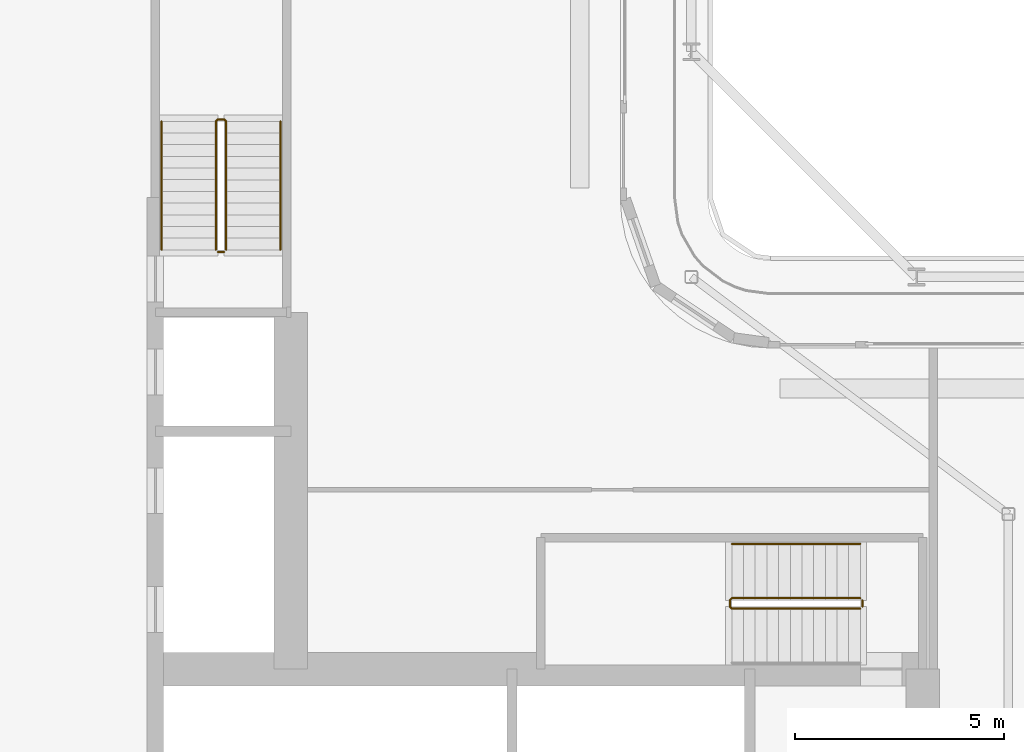
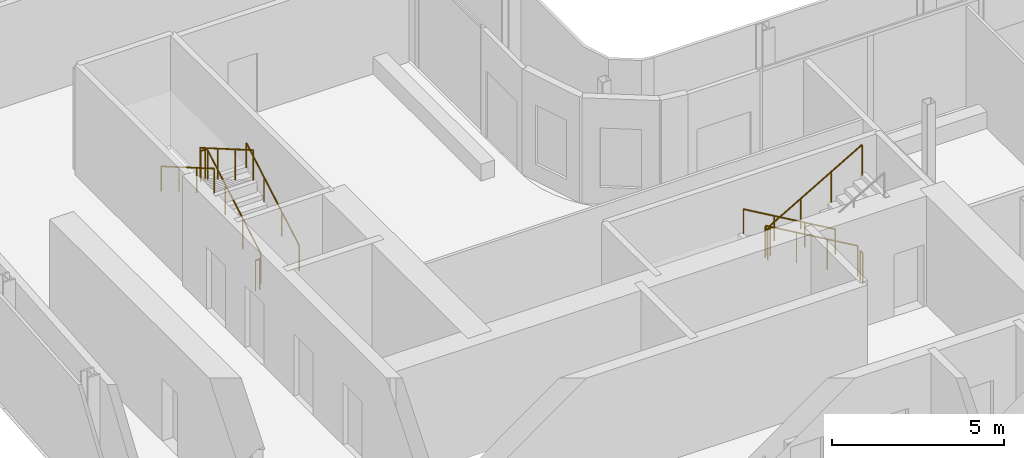
# One storey, part 21 of 26: 7 railings.
"""IFC4 building model written with IfcOpenShell, lengths in metres."""

from ifc_helpers import new_model, si_unit, direction, frame, origin, origin_2d, place, context, subcontext, project, spatial, circle, extrude, material, type_object, element, save


model = new_model("IFC4")

# Units and contexts
model_context = context("Model", 3, precision=1e-05, world=origin(), true_north=direction((0.0, 1.0)))
body_context = subcontext(model_context, "Body", "Model", "MODEL_VIEW")
ifc_project = project(units=[si_unit("LENGTHUNIT", "METRE"), si_unit("AREAUNIT", "SQUARE_METRE"), si_unit("VOLUMEUNIT", "CUBIC_METRE"), si_unit("PLANEANGLEUNIT", "RADIAN"), si_unit("MASSUNIT", "GRAM", prefix="KILO")], contexts=[model_context])

# Site, building, storey
site_placement = place(None, origin())
site = spatial("IfcSite", under=ifc_project, at=site_placement, CompositionType="ELEMENT")
building_placement = place(site_placement, origin())
building = spatial("IfcBuilding", under=site, at=building_placement, Name="Kheshtan School and Residences Tower", CompositionType="ELEMENT")
storey_placement = place(building_placement, frame((0.0, 0.0, 156.5)))
storey = spatial("IfcBuildingStorey", under=building, at=storey_placement, Name="L36", CompositionType="ELEMENT", Elevation=156.5)

# Railings
ifc_material_1 = material(Name="Stainless steel balustrade", Category="steel")
railing_type_1 = type_object("IfcRailingType", Name="Stair guard 1100", PredefinedType="GUARDRAIL", material=ifc_material_1)
railing_1_placement = place(storey_placement, frame((51.64990234375, 37.89990234375, 0.16259765625)))
element("IfcRailing", 1, at=railing_1_placement, inside=storey, type_object=railing_type_1, Name="L36 ST1 stair guard 1", PredefinedType="GUARDRAIL", context=body_context, shape_type="SweptSolid", body=[
    extrude(circle(Radius=0.02392578125, at=origin_2d()), frame((0.0, 0.0, 1.076171875), z_axis=(-0.864903211148, 0.0, 0.501938676878), x_axis=(0.0, -1.0, 0.0)), (0.0, 0.0, 1.0), 3.560791015625),
    extrude(circle(Radius=0.02392578125, at=origin_2d()), frame((-3.079833984375, 0.0, 2.86328125), z_axis=(-0.708833529934, -0.705375805398, 0.0), x_axis=(0.705375805398, -0.708833529934, 0.0)), (0.0, 0.0, 1.0), 0.070556640625),
    extrude(circle(Radius=0.02392578125, at=origin_2d()), frame((-3.1298828125, -0.0498046875, 2.86328125), z_axis=(0.0, -1.0, 0.0), x_axis=(1.0, 0.0, 0.0)), (0.0, 0.0, 1.0), 0.150146484375),
    extrude(circle(Radius=0.02392578125, at=origin_2d()), frame((-3.1298828125, -0.199951171875, 2.86328125), z_axis=(0.282227285176, -0.282227285176, 0.916894497205), x_axis=(0.707106781187, 0.707106781187, 0.0)), (0.0, 0.0, 1.0), 0.17724609375),
    extrude(circle(Radius=0.02392578125, at=origin_2d()), frame((-3.079833984375, -0.25, 3.02587890625), z_axis=(0.864903211148, 0.0, 0.501938676878), x_axis=(0.0, 1.0, 0.0)), (0.0, 0.0, 1.0), 3.560791015625),
    extrude(circle(Radius=0.02099609375, at=origin_2d()), origin(), (0.0, 0.0, 1.0), 1.052001953125),
    extrude(circle(Radius=0.02099609375, at=origin_2d()), frame((-1.026611328125, 0.0, 0.595703125)), (0.0, 0.0, 1.0), 1.052001953125),
    extrude(circle(Radius=0.02099609375, at=origin_2d()), frame((-2.05322265625, 0.0, 1.191650390625)), (0.0, 0.0, 1.0), 1.052001953125),
    extrude(circle(Radius=0.02099609375, at=origin_2d()), frame((-3.079833984375, 0.0, 1.787353515625)), (0.0, 0.0, 1.0), 1.052001953125),
    extrude(circle(Radius=0.02099609375, at=origin_2d()), frame((-3.1298828125, -0.0498046875, 1.787353515625)), (0.0, 0.0, 1.0), 1.052001953125),
    extrude(circle(Radius=0.02099609375, at=origin_2d()), frame((-3.1298828125, -0.199951171875, 1.787353515625)), (0.0, 0.0, 1.0), 1.052001953125),
    extrude(circle(Radius=0.02099609375, at=origin_2d()), frame((-3.079833984375, -0.25, 1.949951171875)), (0.0, 0.0, 1.0), 1.052001953125),
    extrude(circle(Radius=0.02099609375, at=origin_2d()), frame((-2.05322265625, -0.25, 2.545654296875)), (0.0, 0.0, 1.0), 1.052001953125),
    extrude(circle(Radius=0.02099609375, at=origin_2d()), frame((-1.026611328125, -0.25, 3.1416015625)), (0.0, 0.0, 1.0), 1.052001953125),
    extrude(circle(Radius=0.02099609375, at=origin_2d()), frame((0.0, -0.25, 3.7373046875)), (0.0, 0.0, 1.0), 1.052001953125),
])
railing_2_placement = place(storey_placement, frame((51.699951171875, 37.85009765625, 0.0)))
element("IfcRailing", 2, at=railing_2_placement, inside=storey, type_object=railing_type_1, Name="L36 ST1 stair guard 2", PredefinedType="GUARDRAIL", context=body_context, shape_type="SweptSolid", body=[
    extrude(circle(Radius=0.02392578125, at=origin_2d()), frame((0.0, 0.0, 1.076171875), z_axis=(0.0, -1.0, 0.0), x_axis=(1.0, 0.0, 0.0)), (0.0, 0.0, 1.0), 0.150146484375),
    extrude(circle(Radius=0.02099609375, at=origin_2d()), origin(), (0.0, 0.0, 1.0), 1.052001953125),
    extrude(circle(Radius=0.02099609375, at=origin_2d()), frame((0.0, -0.150146484375, 0.0)), (0.0, 0.0, 1.0), 1.052001953125),
])
railing_3_placement = place(storey_placement, frame((36.449951171875, 46.25, 0.16259765625)))
element("IfcRailing", 3, at=railing_3_placement, inside=storey, type_object=railing_type_1, Name="L36 ST2 stair guard 1", PredefinedType="GUARDRAIL", context=body_context, shape_type="SweptSolid", body=[
    extrude(circle(Radius=0.02392578125, at=origin_2d()), frame((0.0, 0.0, 1.076171875), z_axis=(0.0, 0.864920483161, 0.501908913857), x_axis=(-1.0, 0.0, 0.0)), (0.0, 0.0, 1.0), 3.56103515625),
    extrude(circle(Radius=0.02392578125, at=origin_2d()), frame((0.0, 3.080078125, 2.86328125), z_axis=(-0.708833529934, 0.705375805398, 0.0), x_axis=(-0.705375805398, -0.708833529934, 0.0)), (0.0, 0.0, 1.0), 0.070556640625),
    extrude(circle(Radius=0.02392578125, at=origin_2d()), frame((-0.050048828125, 3.1298828125, 2.86328125), z_axis=(-1.0, 0.0, 0.0), x_axis=(0.0, -1.0, 0.0)), (0.0, 0.0, 1.0), 0.14990234375),
    extrude(circle(Radius=0.02392578125, at=origin_2d()), frame((-0.199951171875, 3.1298828125, 2.86328125), z_axis=(-0.282336740067, -0.280959487676, 0.917250092119), x_axis=(0.705375805398, -0.708833529934, 0.0)), (0.0, 0.0, 1.0), 0.17724609375),
    extrude(circle(Radius=0.02392578125, at=origin_2d()), frame((-0.25, 3.080078125, 3.02587890625), z_axis=(0.0, -0.864920483161, 0.501908913857), x_axis=(1.0, 0.0, 0.0)), (0.0, 0.0, 1.0), 3.56103515625),
    extrude(circle(Radius=0.02099609375, at=origin_2d()), origin(), (0.0, 0.0, 1.0), 1.052001953125),
    extrude(circle(Radius=0.02099609375, at=origin_2d()), frame((0.0, 1.026611328125, 0.595703125)), (0.0, 0.0, 1.0), 1.052001953125),
    extrude(circle(Radius=0.02099609375, at=origin_2d()), frame((0.0, 2.053466796875, 1.191650390625)), (0.0, 0.0, 1.0), 1.052001953125),
    extrude(circle(Radius=0.02099609375, at=origin_2d()), frame((0.0, 3.080078125, 1.787353515625)), (0.0, 0.0, 1.0), 1.052001953125),
    extrude(circle(Radius=0.02099609375, at=origin_2d()), frame((-0.050048828125, 3.1298828125, 1.787353515625)), (0.0, 0.0, 1.0), 1.052001953125),
    extrude(circle(Radius=0.02099609375, at=origin_2d()), frame((-0.199951171875, 3.1298828125, 1.787353515625)), (0.0, 0.0, 1.0), 1.052001953125),
    extrude(circle(Radius=0.02099609375, at=origin_2d()), frame((-0.25, 3.080078125, 1.949951171875)), (0.0, 0.0, 1.0), 1.052001953125),
    extrude(circle(Radius=0.02099609375, at=origin_2d()), frame((-0.25, 2.053466796875, 2.545654296875)), (0.0, 0.0, 1.0), 1.052001953125),
    extrude(circle(Radius=0.02099609375, at=origin_2d()), frame((-0.25, 1.026611328125, 3.1416015625)), (0.0, 0.0, 1.0), 1.052001953125),
    extrude(circle(Radius=0.02099609375, at=origin_2d()), frame((-0.25, 0.0, 3.7373046875)), (0.0, 0.0, 1.0), 1.052001953125),
])
railing_4_placement = place(storey_placement, frame((36.39990234375, 46.199951171875, 0.0)))
element("IfcRailing", 4, at=railing_4_placement, inside=storey, type_object=railing_type_1, Name="L36 ST2 stair guard 2", PredefinedType="GUARDRAIL", context=body_context, shape_type="SweptSolid", body=[
    extrude(circle(Radius=0.02392578125, at=origin_2d()), frame((0.0, 0.0, 1.076171875), z_axis=(-1.0, 0.0, 0.0), x_axis=(0.0, -1.0, 0.0)), (0.0, 0.0, 1.0), 0.14990234375),
    extrude(circle(Radius=0.02099609375, at=origin_2d()), origin(), (0.0, 0.0, 1.0), 1.052001953125),
    extrude(circle(Radius=0.02099609375, at=origin_2d()), frame((-0.14990234375, 0.0, 0.0)), (0.0, 0.0, 1.0), 1.052001953125),
])
ifc_material_2 = material(Name="Stainless steel handrail", Category="steel")
railing_type_2 = type_object("IfcRailingType", Name="Stair handrail 900", PredefinedType="HANDRAIL", material=ifc_material_2)
railing_5_placement = place(storey_placement, frame((51.64990234375, 39.199951171875, 0.16259765625)))
element("IfcRailing", 5, at=railing_5_placement, inside=storey, type_object=railing_type_2, Name="L36 ST1 stair handrail 1", PredefinedType="HANDRAIL", context=body_context, shape_type="SweptSolid", body=[
    extrude(circle(Radius=0.02392578125, at=origin_2d()), frame((0.0, 0.0, 0.8759765625), z_axis=(-0.864903211148, 0.0, 0.501938676878), x_axis=(0.0, -1.0, 0.0)), (0.0, 0.0, 1.0), 3.560791015625),
    extrude(circle(Radius=0.02099609375, at=origin_2d()), origin(), (0.0, 0.0, 1.0), 0.851806640625),
    extrude(circle(Radius=0.02099609375, at=origin_2d()), frame((-1.026611328125, 0.0, 0.595703125)), (0.0, 0.0, 1.0), 0.851806640625),
    extrude(circle(Radius=0.02099609375, at=origin_2d()), frame((-2.05322265625, 0.0, 1.191650390625)), (0.0, 0.0, 1.0), 0.851806640625),
    extrude(circle(Radius=0.02099609375, at=origin_2d()), frame((-3.079833984375, 0.0, 1.787353515625)), (0.0, 0.0, 1.0), 0.851806640625),
])
railing_6_placement = place(storey_placement, frame((37.75, 46.25, 0.16259765625)))
element("IfcRailing", 6, at=railing_6_placement, inside=storey, type_object=railing_type_2, Name="L36 ST2 stair handrail 1", PredefinedType="HANDRAIL", context=body_context, shape_type="SweptSolid", body=[
    extrude(circle(Radius=0.02392578125, at=origin_2d()), frame((0.0, 0.0, 0.8759765625), z_axis=(0.0, 0.864920483161, 0.501908913857), x_axis=(-1.0, 0.0, 0.0)), (0.0, 0.0, 1.0), 3.56103515625),
    extrude(circle(Radius=0.02099609375, at=origin_2d()), origin(), (0.0, 0.0, 1.0), 0.851806640625),
    extrude(circle(Radius=0.02099609375, at=origin_2d()), frame((0.0, 1.026611328125, 0.595703125)), (0.0, 0.0, 1.0), 0.851806640625),
    extrude(circle(Radius=0.02099609375, at=origin_2d()), frame((0.0, 2.053466796875, 1.191650390625)), (0.0, 0.0, 1.0), 0.851806640625),
    extrude(circle(Radius=0.02099609375, at=origin_2d()), frame((0.0, 3.080078125, 1.787353515625)), (0.0, 0.0, 1.0), 0.851806640625),
])
railing_7_placement = place(storey_placement, frame((34.89990234375, 49.330078125, 2.112548828125)))
element("IfcRailing", 7, at=railing_7_placement, inside=storey, type_object=railing_type_2, Name="L36 ST2 stair handrail 2", PredefinedType="HANDRAIL", context=body_context, shape_type="SweptSolid", body=[
    extrude(circle(Radius=0.02392578125, at=origin_2d()), frame((0.0, 0.0, 0.8759765625), z_axis=(0.0, -0.864920483161, 0.501908913857), x_axis=(1.0, 0.0, 0.0)), (0.0, 0.0, 1.0), 3.56103515625),
    extrude(circle(Radius=0.02099609375, at=origin_2d()), origin(), (0.0, 0.0, 1.0), 0.851806640625),
    extrude(circle(Radius=0.02099609375, at=origin_2d()), frame((0.0, -1.026611328125, 0.595703125)), (0.0, 0.0, 1.0), 0.851806640625),
    extrude(circle(Radius=0.02099609375, at=origin_2d()), frame((0.0, -2.053466796875, 1.191650390625)), (0.0, 0.0, 1.0), 0.851806640625),
    extrude(circle(Radius=0.02099609375, at=origin_2d()), frame((0.0, -3.080078125, 1.787353515625)), (0.0, 0.0, 1.0), 0.851806640625),
])

save(model, "model.ifc")
